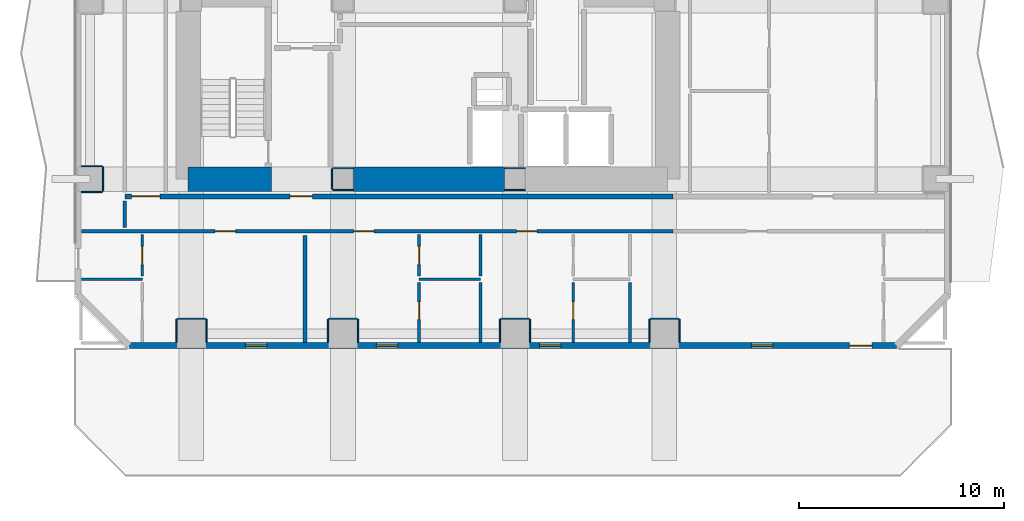
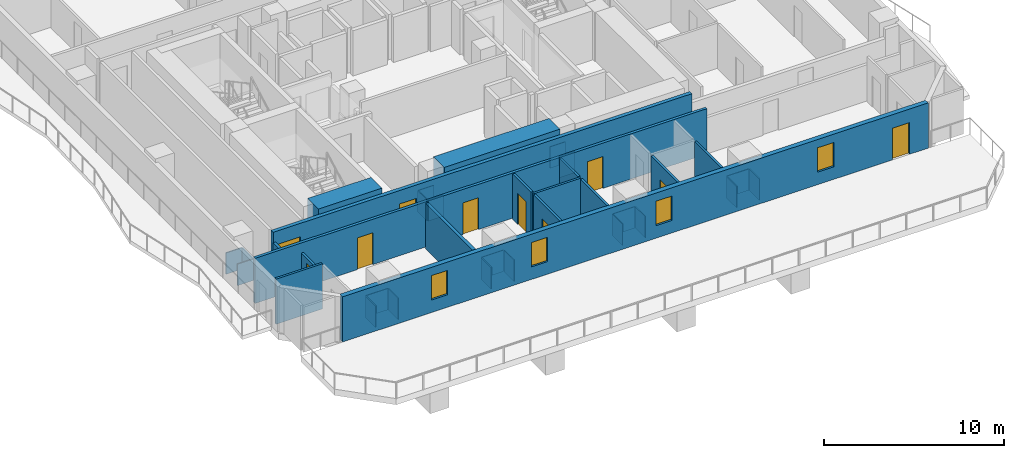
# One storey, part 2 of 11: 36 walls, 10 doors, 4 windows, 14 openings.
"""IFC4 building model written with IfcOpenShell, lengths in metres."""

import ifcopenshell
import ifcopenshell.guid

model = None  # the IFC model being written
_history = None  # IfcOwnerHistory: only IFC2X3 demands one
_inside = {}  # id of a spatial element -> (the spatial element, [elements in it])
_under = {}  # id of a project, library or spatial element -> (it, [spatial elements below it])
_declared = {}  # id of a project -> (the project, [libraries it declares])
_typed = {}  # id of a type object -> (the type object, [elements of that type])
_made_of = {}  # id of a material, layer set ... -> (it, [elements and type objects made of it])


def new_model(schema):
    """Start an empty IFC model of exactly this schema.

    Asked for "IFC4X3", IfcOpenShell would pick the latest addendum, in which some entities
    have other attributes; the version numbers below select the first issue.
    IFC2X3 requires an IfcOwnerHistory on every rooted entity: one is made here for all.
    """
    global model, _history
    if schema == "IFC4X3":
        model = ifcopenshell.file(schema_version=(4, 3, 0, 0))
    else:
        model = ifcopenshell.file(schema=schema)
    _inside.clear()
    _under.clear()
    _declared.clear()
    _typed.clear()
    _made_of.clear()
    _history = None
    if model.schema == "IFC2X3":
        org = make("IfcOrganization", Name="unknown")
        user = make(
            "IfcPersonAndOrganization",
            ThePerson=make("IfcPerson", FamilyName="unknown"),
            TheOrganization=org,
        )
        app = make(
            "IfcApplication",
            ApplicationDeveloper=org,
            Version="unknown",
            ApplicationFullName="unknown",
            ApplicationIdentifier="unknown",
        )
        _history = make(
            "IfcOwnerHistory",
            OwningUser=user,
            OwningApplication=app,
            ChangeAction="ADDED",
            CreationDate=0,
        )
    return model


def make(cls, **values):
    """One entity of the class cls with the attributes given. An attribute that is None is left unset."""
    return model.create_entity(
        cls, **{name: value for name, value in values.items() if value is not None}
    )


def rooted(cls, **values):
    """An entity with a GlobalId (a new one), such as an element, a storey or a relation."""
    return make(cls, GlobalId=ifcopenshell.guid.new(), OwnerHistory=_history, **values)


def si_unit(unit_type, name, prefix=None):
    """IfcSIUnit, for example si_unit("LENGTHUNIT", "METRE", prefix="MILLI")."""
    return make("IfcSIUnit", UnitType=unit_type, Prefix=prefix, Name=name)


def assignment(units):
    """IfcUnitAssignment: the units of a project."""
    return None if units is None else make("IfcUnitAssignment", Units=units)


def point(xyz):
    """IfcCartesianPoint."""
    return None if xyz is None else make("IfcCartesianPoint", Coordinates=xyz)


def direction(xyz):
    """IfcDirection."""
    return None if xyz is None else make("IfcDirection", DirectionRatios=xyz)


def frame(location, z_axis=None, x_axis=None):
    """IfcAxis2Placement3D, a coordinate frame: its origin and axes. An axis left out is left unset."""
    return make(
        "IfcAxis2Placement3D",
        Location=point(location),
        Axis=direction(z_axis),
        RefDirection=direction(x_axis),
    )


def frame_2d(location, x_axis=None):
    """IfcAxis2Placement2D, a coordinate frame in the plane: its origin and x axis."""
    return make(
        "IfcAxis2Placement2D", Location=point(location), RefDirection=direction(x_axis)
    )


def origin():
    """The frame at (0, 0, 0) with its axes left unset."""
    return frame((0.0, 0.0, 0.0))


def place(relative_to, where):
    """IfcLocalPlacement: puts the frame where relative to a parent placement (None: the world)."""
    return make(
        "IfcLocalPlacement", PlacementRelTo=relative_to, RelativePlacement=where
    )


def context(
    kind, dimensions, precision=None, world=None, true_north=None, identifier=None
):
    """IfcGeometricRepresentationContext, for example the 3D "Model" context."""
    return make(
        "IfcGeometricRepresentationContext",
        ContextIdentifier=identifier,
        ContextType=kind,
        CoordinateSpaceDimension=dimensions,
        Precision=precision,
        WorldCoordinateSystem=world,
        TrueNorth=true_north,
    )


def subcontext(parent, identifier, kind, view, scale=None):
    """IfcGeometricRepresentationSubContext, for example "Body" below "Model"."""
    return make(
        "IfcGeometricRepresentationSubContext",
        ContextIdentifier=identifier,
        ContextType=kind,
        ParentContext=parent,
        TargetScale=scale,
        TargetView=view,
    )


def project(units=None, contexts=None):
    """IfcProject with its units and contexts."""
    return rooted(
        "IfcProject",
        Name="project",
        RepresentationContexts=contexts,
        UnitsInContext=assignment(units),
    )


def spatial(cls, under=None, at=None, **own):
    """A site, building, storey or space (cls), placed at a placement, below another one or the project."""
    s = rooted(cls, ObjectPlacement=at, **own)
    if under is not None:
        _under.setdefault(under.id(), (under, []))[1].append(s)
    return s


def profile(cls, at=None, kind="AREA", **sizes):
    """A parametric profile (cls). Its sizes go by their IFC names, for example OverallWidth=200.0."""
    return make(cls, ProfileType=kind, Position=at, **sizes)


def rectangle(**sizes):
    """IfcRectangleProfileDef."""
    return profile("IfcRectangleProfileDef", **sizes)


def extrude(swept, where, along, depth):
    """IfcExtrudedAreaSolid: the profile swept, set in the frame where, extruded along a direction by depth."""
    return make(
        "IfcExtrudedAreaSolid",
        SweptArea=swept,
        Position=where,
        ExtrudedDirection=direction(along),
        Depth=depth,
    )


def shape(context_of_items, identifier, shape_type, items):
    """IfcShapeRepresentation: the items that make up one representation, for example the "Body"."""
    return make(
        "IfcShapeRepresentation",
        ContextOfItems=context_of_items,
        RepresentationIdentifier=identifier,
        RepresentationType=shape_type,
        Items=items,
    )


def material(Name=None, Category=None):
    """IfcMaterial."""
    return make("IfcMaterial", Name=Name, Category=Category)


def layer(
    of_material, thickness, ventilated=None, Name=None, Category=None, Priority=None
):
    """IfcMaterialLayer: one layer of a wall or slab, of a material (None: an air gap)."""
    return make(
        "IfcMaterialLayer",
        Material=of_material,
        LayerThickness=thickness,
        IsVentilated=ventilated,
        Name=Name,
        Category=Category,
        Priority=Priority,
    )


def layer_set(layers, Name=None):
    """IfcMaterialLayerSet."""
    return make("IfcMaterialLayerSet", MaterialLayers=layers, LayerSetName=Name)


def made_of(thing, what):
    """Note that an element or type object is made of a material, layer set ...; save() writes the relation."""
    if what is not None:
        _made_of.setdefault(what.id(), (what, []))[1].append(thing)
    return thing


def type_object(cls, material=None, **own):
    """A type object (cls), such as IfcWallType, which elements share."""
    return made_of(rooted(cls, **own), material)


def element(
    cls,
    number,
    at=None,
    inside=None,
    cuts=None,
    type_object=None,
    material=None,
    context=None,
    identifier="Body",
    shape_type=None,
    held_by="IfcProductDefinitionShape",
    body=None,
    shapes=None,
    **own,
):
    """One element of the class cls, such as IfcWall. Its Tag is "e" and its number.

    at: its placement. inside: the storey or other place that contains it. cuts: it is an
    opening in that element (IfcRelVoidsElement). A single representation is given by context,
    identifier, shape_type and body (its items); several are given by shapes. held_by: the class
    of the entity that holds the representations. save() writes the other relations.
    """
    e = rooted(cls, Tag="e%d" % number, ObjectPlacement=at, **own)
    if body is not None:
        shapes = [shape(context, identifier, shape_type, body)]
    if shapes is not None:
        e.Representation = make(held_by, Representations=shapes)
    if inside is not None:
        _inside.setdefault(inside.id(), (inside, []))[1].append(e)
    if cuts is not None:
        rooted(
            "IfcRelVoidsElement", RelatingBuildingElement=cuts, RelatedOpeningElement=e
        )
    if type_object is not None:
        _typed.setdefault(type_object.id(), (type_object, []))[1].append(e)
    return made_of(e, material)


def fill(opening, filler):
    """IfcRelFillsElement: the door or window that sits in an opening."""
    return rooted(
        "IfcRelFillsElement",
        RelatingOpeningElement=opening,
        RelatedBuildingElement=filler,
    )


def aggregate(whole, parts):
    """IfcRelAggregates: a whole, such as a stair, and the parts it consists of."""
    return rooted("IfcRelAggregates", RelatingObject=whole, RelatedObjects=parts)


def save(model, path):
    """Write the relations noted so far, then the file.

    IfcRelAggregates (storeys below a building ...), IfcRelContainedInSpatialStructure (elements
    in a storey), IfcRelDefinesByType, IfcRelAssociatesMaterial and IfcRelDeclares: one each for
    every whole, place, type object, material and project.
    """
    for whole, parts in _under.values():
        aggregate(whole, parts)
    for where, things in _inside.values():
        rooted(
            "IfcRelContainedInSpatialStructure",
            RelatedElements=things,
            RelatingStructure=where,
        )
    for kind, things in _typed.values():
        rooted("IfcRelDefinesByType", RelatedObjects=things, RelatingType=kind)
    for what, things in _made_of.values():
        rooted("IfcRelAssociatesMaterial", RelatedObjects=things, RelatingMaterial=what)
    for by, libraries in _declared.values():
        rooted("IfcRelDeclares", RelatingContext=by, RelatedDefinitions=libraries)
    model.write(path)


model = new_model("IFC4")

# Units and contexts
model_context = context("Model", 3, precision=1e-05, world=origin(), true_north=direction((0.0, 1.0)))
body_context = subcontext(model_context, "Body", "Model", "MODEL_VIEW")
ifc_project = project(units=[si_unit("LENGTHUNIT", "METRE"), si_unit("AREAUNIT", "SQUARE_METRE"), si_unit("VOLUMEUNIT", "CUBIC_METRE"), si_unit("PLANEANGLEUNIT", "RADIAN"), si_unit("MASSUNIT", "GRAM", prefix="KILO")], contexts=[model_context])

# Site, building, storey
site_placement = place(None, origin())
site = spatial("IfcSite", under=ifc_project, at=site_placement, CompositionType="ELEMENT")
building_placement = place(site_placement, origin())
building = spatial("IfcBuilding", under=site, at=building_placement, Name="Solanera Arch Residences", CompositionType="ELEMENT")
storey_placement = place(building_placement, frame((0.0, 0.0, 61.840087890625)))
storey = spatial("IfcBuildingStorey", under=building, at=storey_placement, Name="L17", CompositionType="ELEMENT", Elevation=61.840087890625)

# Walls
ifc_material_1 = material(Name="Fire-Rated Gypsum Stud Partition", Category="gypsum")
ifc_layer_1 = layer(ifc_material_1, 0.06005859375)
ifc_layer_set_1 = layer_set([ifc_layer_1], Name="Fire-Rated Gypsum Stud Partition")
wall_type_1 = type_object("IfcWallType", Name="Column Acoustic Furring Wall 60", PredefinedType="PARTITIONING", material=ifc_layer_set_1)
for number, where, z_axis, x_axis, name in (
    (1, (20.300048828125, 21.468017578125, 0.0), (0.0, 0.0, 1.0), (1.0, 0.0, 0.0), "L17 Column Furring 1S"),
    (2, (20.300048828125, 22.531982421875, 0.0), (0.0, 0.0, 1.0), (1.0, 0.0, 0.0), "L17 Column Furring 1N"),
):
    element("IfcWall", number, at=place(storey_placement, frame(where, z_axis=z_axis, x_axis=x_axis)), inside=storey, type_object=wall_type_1, Name=name, PredefinedType="PARTITIONING", context=body_context, shape_type="SweptSolid", body=[
        extrude(rectangle(XDim=0.989990234375, YDim=0.06005859375, at=frame_2d((0.4951171875, 0.0))), origin(), (0.0, 0.0, 1.0), 1.449951171875),
    ])
wall_1_placement = place(storey_placement, frame((20.26806640625, 21.5, 0.0), z_axis=(0.0, 0.0, 1.0), x_axis=(0.0, 1.0, 0.0)))
element("IfcWall", 3, at=wall_1_placement, inside=storey, type_object=wall_type_1, Name="L17 Column Furring 1W", PredefinedType="PARTITIONING", context=body_context, shape_type="SweptSolid", body=[
    extrude(rectangle(XDim=1.0, YDim=0.06005859375, at=frame_2d((0.5, 0.0))), origin(), (0.0, 0.0, 1.0), 1.449951171875),
])
for number, where, z_axis, x_axis, name in (
    (4, (28.7099609375, 21.468017578125, 0.0), (0.0, 0.0, 1.0), (1.0, 0.0, 0.0), "L17 Column Furring 2S"),
    (5, (28.7099609375, 22.531982421875, 0.0), (0.0, 0.0, 1.0), (1.0, 0.0, 0.0), "L17 Column Furring 2N"),
):
    element("IfcWall", number, at=place(storey_placement, frame(where, z_axis=z_axis, x_axis=x_axis)), inside=storey, type_object=wall_type_1, Name=name, PredefinedType="PARTITIONING", context=body_context, shape_type="SweptSolid", body=[
        extrude(rectangle(XDim=0.97998046875, YDim=0.06005859375, at=frame_2d((0.489990234375, 0.0))), origin(), (0.0, 0.0, 1.0), 1.449951171875),
    ])
wall_2_placement = place(storey_placement, frame((12.699951171875, 15.181884765625, 0.0), z_axis=(0.0, 0.0, 1.0), x_axis=(1.0, 0.0, 0.0)))
element("IfcWall", 6, at=wall_2_placement, inside=storey, type_object=wall_type_1, Name="L17 Column Furring 9N", PredefinedType="PARTITIONING", context=body_context, shape_type="SweptSolid", body=[
    extrude(rectangle(XDim=1.400146484375, YDim=0.06005859375, at=frame_2d((0.7001953125, 0.0))), origin(), (0.0, 0.0, 1.0), 1.449951171875),
])
for number, where, z_axis, x_axis, name in (
    (7, (12.66796875, 14.030029296875, 0.0), (0.0, 0.0, 1.0), (0.0, 1.0, 0.0), "L17 Column Furring 9W"),
    (8, (14.132080078125, 14.030029296875, 0.0), (0.0, 0.0, 1.0), (0.0, 1.0, 0.0), "L17 Column Furring 9E"),
):
    element("IfcWall", number, at=place(storey_placement, frame(where, z_axis=z_axis, x_axis=x_axis)), inside=storey, type_object=wall_type_1, Name=name, PredefinedType="PARTITIONING", context=body_context, shape_type="SweptSolid", body=[
        extrude(rectangle(XDim=1.119873046875, YDim=0.06005859375, at=frame_2d((0.56005859375, 0.0))), origin(), (0.0, 0.0, 1.0), 1.449951171875),
    ])
wall_3_placement = place(storey_placement, frame((20.10009765625, 15.181884765625, 0.0), z_axis=(0.0, 0.0, 1.0), x_axis=(1.0, 0.0, 0.0)))
element("IfcWall", 9, at=wall_3_placement, inside=storey, type_object=wall_type_1, Name="L17 Column Furring 11N", PredefinedType="PARTITIONING", context=body_context, shape_type="SweptSolid", body=[
    extrude(rectangle(XDim=1.39990234375, YDim=0.06005859375, at=frame_2d((0.699951171875, 0.0))), origin(), (0.0, 0.0, 1.0), 1.449951171875),
])
for number, where, z_axis, x_axis, name in (
    (10, (20.068115234375, 14.030029296875, 0.0), (0.0, 0.0, 1.0), (0.0, 1.0, 0.0), "L17 Column Furring 11W"),
    (11, (21.531982421875, 14.030029296875, 0.0), (0.0, 0.0, 1.0), (0.0, 1.0, 0.0), "L17 Column Furring 11E"),
):
    element("IfcWall", number, at=place(storey_placement, frame(where, z_axis=z_axis, x_axis=x_axis)), inside=storey, type_object=wall_type_1, Name=name, PredefinedType="PARTITIONING", context=body_context, shape_type="SweptSolid", body=[
        extrude(rectangle(XDim=1.119873046875, YDim=0.06005859375, at=frame_2d((0.56005859375, 0.0))), origin(), (0.0, 0.0, 1.0), 1.449951171875),
    ])
wall_4_placement = place(storey_placement, frame((28.5, 15.181884765625, 0.0), z_axis=(0.0, 0.0, 1.0), x_axis=(1.0, 0.0, 0.0)))
element("IfcWall", 12, at=wall_4_placement, inside=storey, type_object=wall_type_1, Name="L17 Column Furring 13N", PredefinedType="PARTITIONING", context=body_context, shape_type="SweptSolid", body=[
    extrude(rectangle(XDim=1.39990234375, YDim=0.06005859375, at=frame_2d((0.699951171875, 0.0))), origin(), (0.0, 0.0, 1.0), 1.449951171875),
])
for number, where, z_axis, x_axis, name in (
    (13, (28.468017578125, 14.030029296875, 0.0), (0.0, 0.0, 1.0), (0.0, 1.0, 0.0), "L17 Column Furring 13W"),
    (14, (29.931884765625, 14.030029296875, 0.0), (0.0, 0.0, 1.0), (0.0, 1.0, 0.0), "L17 Column Furring 13E"),
):
    element("IfcWall", number, at=place(storey_placement, frame(where, z_axis=z_axis, x_axis=x_axis)), inside=storey, type_object=wall_type_1, Name=name, PredefinedType="PARTITIONING", context=body_context, shape_type="SweptSolid", body=[
        extrude(rectangle(XDim=1.119873046875, YDim=0.06005859375, at=frame_2d((0.56005859375, 0.0))), origin(), (0.0, 0.0, 1.0), 1.449951171875),
    ])
wall_5_placement = place(storey_placement, frame((35.800048828125, 15.181884765625, 0.0), z_axis=(0.0, 0.0, 1.0), x_axis=(1.0, 0.0, 0.0)))
element("IfcWall", 15, at=wall_5_placement, inside=storey, type_object=wall_type_1, Name="L17 Column Furring 15N", PredefinedType="PARTITIONING", context=body_context, shape_type="SweptSolid", body=[
    extrude(rectangle(XDim=1.39990234375, YDim=0.06005859375, at=frame_2d((0.699951171875, 0.0))), origin(), (0.0, 0.0, 1.0), 1.449951171875),
])
for number, where, z_axis, x_axis, name in (
    (16, (35.76806640625, 14.030029296875, 0.0), (0.0, 0.0, 1.0), (0.0, 1.0, 0.0), "L17 Column Furring 15W"),
    (17, (37.23193359375, 14.030029296875, 0.0), (0.0, 0.0, 1.0), (0.0, 1.0, 0.0), "L17 Column Furring 15E"),
):
    element("IfcWall", number, at=place(storey_placement, frame(where, z_axis=z_axis, x_axis=x_axis)), inside=storey, type_object=wall_type_1, Name=name, PredefinedType="PARTITIONING", context=body_context, shape_type="SweptSolid", body=[
        extrude(rectangle(XDim=1.119873046875, YDim=0.06005859375, at=frame_2d((0.56005859375, 0.0))), origin(), (0.0, 0.0, 1.0), 1.449951171875),
    ])
for number, where, z_axis, x_axis, name in (
    (18, (8.030029296875, 21.367919921875, 0.0), (0.0, 0.0, 1.0), (1.0, 0.0, 0.0), "L17 Column Furring 17S"),
    (19, (8.030029296875, 22.632080078125, 0.0), (0.0, 0.0, 1.0), (1.0, 0.0, 0.0), "L17 Column Furring 17N"),
):
    element("IfcWall", number, at=place(storey_placement, frame(where, z_axis=z_axis, x_axis=x_axis)), inside=storey, type_object=wall_type_1, Name=name, PredefinedType="PARTITIONING", context=body_context, shape_type="SweptSolid", body=[
        extrude(rectangle(XDim=1.02001953125, YDim=0.06005859375, at=frame_2d((0.510009765625, 0.0))), origin(), (0.0, 0.0, 1.0), 1.449951171875),
    ])
wall_6_placement = place(storey_placement, frame((9.08203125, 21.39990234375, 0.0), z_axis=(0.0, 0.0, 1.0), x_axis=(0.0, 1.0, 0.0)))
element("IfcWall", 20, at=wall_6_placement, inside=storey, type_object=wall_type_1, Name="L17 Column Furring 17E", PredefinedType="PARTITIONING", context=body_context, shape_type="SweptSolid", body=[
    extrude(rectangle(XDim=1.2001953125, YDim=0.06005859375, at=frame_2d((0.60009765625, 0.0))), origin(), (0.0, 0.0, 1.0), 1.449951171875),
])
ifc_material_2 = material(Name="Concrete C55/67 (f'c = 60 MPa)", Category="concrete")
ifc_layer_2 = layer(ifc_material_2, 1.199951171875)
ifc_layer_set_2 = layer_set([ifc_layer_2], Name="Concrete C55/67 (f'c = 60 MPa)")
wall_type_2 = type_object("IfcWallType", Name="Core Shear Wall CW-1200", PredefinedType="SHEAR", material=ifc_layer_set_2)
wall_7_placement = place(storey_placement, frame((13.239990234375, 22.0, 0.0), z_axis=(0.0, 0.0, 1.0), x_axis=(1.0, 0.0, 0.0)))
element("IfcWall", 21, at=wall_7_placement, inside=storey, type_object=wall_type_2, Name="L17 South-West Core Shear Wall", PredefinedType="SHEAR", context=body_context, shape_type="SweptSolid", body=[
    extrude(rectangle(XDim=4.080078125, YDim=1.199951171875, at=frame_2d((2.0400390625, 0.0))), origin(), (0.0, 0.0, 1.0), 3.31982421875),
])
wall_8_placement = place(storey_placement, frame((21.304931640625, 22.0, 0.0), z_axis=(0.0, 0.0, 1.0), x_axis=(1.0, 0.0, 0.0)))
element("IfcWall", 22, at=wall_8_placement, inside=storey, type_object=wall_type_2, Name="L17 Central South Core Shear Wall", PredefinedType="SHEAR", context=body_context, shape_type="SweptSolid", body=[
    extrude(rectangle(XDim=7.39013671875, YDim=1.199951171875, at=frame_2d((3.695068359375, 0.0))), origin(), (0.0, 0.0, 1.0), 3.31982421875),
])

# Wall, openings, doors
ifc_material_3 = material(Name="Autoclaved Aerated Concrete Blockwork", Category="masonry")
ifc_layer_3 = layer(ifc_material_3, 0.179931640625)
ifc_layer_set_3 = layer_set([ifc_layer_3], Name="Autoclaved Aerated Concrete Blockwork")
wall_type_3 = type_object("IfcWallType", Name="Corridor Fire Partition 180", PredefinedType="PARTITIONING", material=ifc_layer_set_3)
wall_9_placement = place(storey_placement, frame((8.027099609375, 19.449951171875, 0.0), z_axis=(0.0, 0.0, 1.0), x_axis=(1.0, 0.0, 0.0)))
wall_9 = element("IfcWall", 23, at=wall_9_placement, inside=storey, type_object=wall_type_3, Name="L17 Interior Partition H7 1", PredefinedType="PARTITIONING", context=body_context, shape_type="SweptSolid", body=[
    extrude(rectangle(XDim=28.90185546875, YDim=0.179931640625, at=frame_2d((14.450927734375, 0.0))), origin(), (0.0, 0.0, 1.0), 3.059814453125),
])
opening_1_placement = place(wall_9_placement, frame((6.532958984375, 0.0, 0.0)))
opening_1 = element("IfcOpeningElement", 24, at=opening_1_placement, cuts=wall_9, Name="Opening DI-01", PredefinedType="OPENING", context=body_context, shape_type="SweptSolid", body=[
    extrude(rectangle(XDim=1.0, YDim=2.14990234375, at=frame_2d((0.5, 1.074951171875))), frame((0.0, 0.10009765625, 0.0), z_axis=(0.0, -1.0, 0.0), x_axis=(1.0, 0.0, 0.0)), (0.0, 0.0, 1.0), 0.1999),
])
opening_2_placement = place(wall_9_placement, frame((13.29296875, 0.0, 0.0)))
opening_2 = element("IfcOpeningElement", 25, at=opening_2_placement, cuts=wall_9, Name="Opening DI-01", PredefinedType="OPENING", context=body_context, shape_type="SweptSolid", body=[
    extrude(rectangle(XDim=1.0, YDim=2.14990234375, at=frame_2d((0.5, 1.074951171875))), frame((0.0, 0.10009765625, 0.0), z_axis=(0.0, -1.0, 0.0), x_axis=(1.0, 0.0, 0.0)), (0.0, 0.0, 1.0), 0.1999),
])
opening_3_placement = place(wall_9_placement, frame((21.256103515625, 0.0, 0.0)))
opening_3 = element("IfcOpeningElement", 26, at=opening_3_placement, cuts=wall_9, Name="Opening DI-01", PredefinedType="OPENING", context=body_context, shape_type="SweptSolid", body=[
    extrude(rectangle(XDim=1.0, YDim=2.14990234375, at=frame_2d((0.5, 1.074951171875))), frame((0.0, 0.10009765625, 0.0), z_axis=(0.0, -1.0, 0.0), x_axis=(1.0, 0.0, 0.0)), (0.0, 0.0, 1.0), 0.1999),
])
ifc_material_4 = material(Name="Fire-Rated Architectural Hardwood", Category="wood")
door_type_1 = type_object("IfcDoorType", Name="Unit Entrance Fire Door DI-01", OperationType="NOTDEFINED", PredefinedType="DOOR", material=ifc_material_4)
door_1_placement = place(opening_1_placement, origin())
door_1 = element("IfcDoor", 27, at=door_1_placement, inside=storey, type_object=door_type_1, Name="DR-L17-IN-015", OperationType="SINGLE_SWING_LEFT", OverallHeight=2.14990234375, OverallWidth=1.0, PredefinedType="DOOR", context=body_context, shape_type="SweptSolid", body=[
    extrude(rectangle(XDim=1.0, YDim=2.14990234375, at=frame_2d((0.5, 1.074951171875))), frame((0.0, 0.02490234375, 0.0), z_axis=(0.0, -1.0, 0.0), x_axis=(1.0, 0.0, 0.0)), (0.0, 0.0, 1.0), 0.050048828125),
])
fill(opening_1, door_1)
door_2_placement = place(opening_2_placement, origin())
door_2 = element("IfcDoor", 28, at=door_2_placement, inside=storey, type_object=door_type_1, Name="DR-L17-IN-018", OperationType="SINGLE_SWING_RIGHT", OverallHeight=2.14990234375, OverallWidth=1.0, PredefinedType="DOOR", context=body_context, shape_type="SweptSolid", body=[
    extrude(rectangle(XDim=1.0, YDim=2.14990234375, at=frame_2d((0.5, 1.074951171875))), frame((0.0, 0.02490234375, 0.0), z_axis=(0.0, -1.0, 0.0), x_axis=(1.0, 0.0, 0.0)), (0.0, 0.0, 1.0), 0.050048828125),
])
fill(opening_2, door_2)
door_3_placement = place(opening_3_placement, origin())
door_3 = element("IfcDoor", 29, at=door_3_placement, inside=storey, type_object=door_type_1, Name="DR-L17-IN-021", OperationType="SINGLE_SWING_LEFT", OverallHeight=2.14990234375, OverallWidth=1.0, PredefinedType="DOOR", context=body_context, shape_type="SweptSolid", body=[
    extrude(rectangle(XDim=1.0, YDim=2.14990234375, at=frame_2d((0.5, 1.074951171875))), frame((0.0, 0.02490234375, 0.0), z_axis=(0.0, -1.0, 0.0), x_axis=(1.0, 0.0, 0.0)), (0.0, 0.0, 1.0), 0.050048828125),
])
fill(opening_3, door_3)

# Wall
wall_10_placement = place(storey_placement, frame((10.14990234375, 19.637939453125, 0.0), z_axis=(0.0, 0.0, 1.0), x_axis=(0.0, 1.0, 0.0)))
element("IfcWall", 30, at=wall_10_placement, inside=storey, type_object=wall_type_3, Name="L17 Interior Partition V9 1", PredefinedType="PARTITIONING", context=body_context, shape_type="SweptSolid", body=[
    extrude(rectangle(XDim=1.2939453125, YDim=0.179931640625, at=frame_2d((0.64697265625, 0.0))), origin(), (0.0, 0.0, 1.0), 2.44482421875),
])

# Wall, openings, door, windows
ifc_material_5 = material(Name="Precast Concrete C35/45", Category="concrete")
ifc_layer_4 = layer(ifc_material_5, 0.300048828125)
ifc_layer_set_4 = layer_set([ifc_layer_4], Name="Precast Concrete C35/45")
wall_type_4 = type_object("IfcWallType", Name="Exterior Wall Precast Masonry-Frame 300", PredefinedType="STANDARD", material=ifc_layer_set_4)
wall_11_placement = place(storey_placement, frame((47.8349609375, 13.864990234375, 0.0), z_axis=(0.0, 0.0, 1.0), x_axis=(-1.0, 0.0, 0.0)))
wall_11 = element("IfcWall", 31, at=wall_11_placement, inside=storey, type_object=wall_type_4, Name="L17 Tower Exterior Precast Masonry-Frame Wall S", PredefinedType="STANDARD", context=body_context, shape_type="SweptSolid", body=[
    extrude(rectangle(XDim=37.469970703125, YDim=0.300048828125, at=frame_2d((18.73486328125, 0.0))), origin(), (0.0, 0.0, 1.0), 3.059814453125),
])
opening_4_placement = place(wall_11_placement, frame((1.200927734375, 0.0, 0.0)))
opening_4 = element("IfcOpeningElement", 32, at=opening_4_placement, cuts=wall_11, Name="Opening DB-02", PredefinedType="OPENING", context=body_context, shape_type="SweptSolid", body=[
    extrude(rectangle(XDim=1.10009765625, YDim=2.14990234375, at=frame_2d((0.550048828125, 1.074951171875))), frame((0.0, 0.159912109375, 0.0), z_axis=(0.0, -1.0, 0.0), x_axis=(1.0, 0.0, 0.0)), (0.0, 0.0, 1.0), 0.32),
])
opening_5_placement = place(wall_11_placement, frame((30.75, 0.0, 0.85009765625)))
opening_5 = element("IfcOpeningElement", 33, at=opening_5_placement, cuts=wall_11, Name="Opening W-07", PredefinedType="OPENING", context=body_context, shape_type="SweptSolid", body=[
    extrude(rectangle(XDim=1.050048828125, YDim=1.64990234375, at=frame_2d((0.52490234375, 0.824951171875))), frame((0.0, 0.159912109375, 0.0), z_axis=(0.0, -1.0, 0.0), x_axis=(1.0, 0.0, 0.0)), (0.0, 0.0, 1.0), 0.32),
])
opening_6_placement = place(wall_11_placement, frame((24.35009765625, 0.0, 0.85009765625)))
opening_6 = element("IfcOpeningElement", 34, at=opening_6_placement, cuts=wall_11, Name="Opening W-07", PredefinedType="OPENING", context=body_context, shape_type="SweptSolid", body=[
    extrude(rectangle(XDim=1.050048828125, YDim=1.64990234375, at=frame_2d((0.52490234375, 0.824951171875))), frame((0.0, 0.159912109375, 0.0), z_axis=(0.0, -1.0, 0.0), x_axis=(1.0, 0.0, 0.0)), (0.0, 0.0, 1.0), 0.32),
])
opening_7_placement = place(wall_11_placement, frame((16.386962890625, 0.0, 0.85009765625)))
opening_7 = element("IfcOpeningElement", 35, at=opening_7_placement, cuts=wall_11, Name="Opening W-07", PredefinedType="OPENING", context=body_context, shape_type="SweptSolid", body=[
    extrude(rectangle(XDim=1.050048828125, YDim=1.64990234375, at=frame_2d((0.52490234375, 0.824951171875))), frame((0.0, 0.159912109375, 0.0), z_axis=(0.0, -1.0, 0.0), x_axis=(1.0, 0.0, 0.0)), (0.0, 0.0, 1.0), 0.32),
])
opening_8_placement = place(wall_11_placement, frame((6.04296875, 0.0, 0.85009765625)))
opening_8 = element("IfcOpeningElement", 36, at=opening_8_placement, cuts=wall_11, Name="Opening W-07", PredefinedType="OPENING", context=body_context, shape_type="SweptSolid", body=[
    extrude(rectangle(XDim=1.050048828125, YDim=1.64990234375, at=frame_2d((0.52490234375, 0.824951171875))), frame((0.0, 0.159912109375, 0.0), z_axis=(0.0, -1.0, 0.0), x_axis=(1.0, 0.0, 0.0)), (0.0, 0.0, 1.0), 0.32),
])
ifc_material_6 = material(Name="Anodised Aluminium Alloy 6063-T6", Category="aluminium")
door_type_2 = type_object("IfcDoorType", Name="Glazed Terrace Swing Door DB-02", OperationType="NOTDEFINED", PredefinedType="DOOR", material=ifc_material_6)
door_4_placement = place(opening_4_placement, origin())
door_4 = element("IfcDoor", 37, at=door_4_placement, inside=storey, type_object=door_type_2, Name="DR-L17-OUT-01", OperationType="SINGLE_SWING_LEFT", OverallHeight=2.14990234375, OverallWidth=1.10009765625, PredefinedType="DOOR", context=body_context, shape_type="SweptSolid", body=[
    extrude(rectangle(XDim=1.10009765625, YDim=2.14990234375, at=frame_2d((0.550048828125, 1.074951171875))), frame((0.0, 0.02490234375, 0.0), z_axis=(0.0, -1.0, 0.0), x_axis=(1.0, 0.0, 0.0)), (0.0, 0.0, 1.0), 0.050048828125),
])
fill(opening_4, door_4)
ifc_material_7 = material(Name="Double Glazed Low-E Laminated Glass", Category="glass")
window_type = type_object("IfcWindowType", Name="Punched Window W-07", PartitioningType="SINGLE_PANEL", PredefinedType="WINDOW", material=ifc_material_7)
window_1_placement = place(opening_5_placement, origin())
window_1 = element("IfcWindow", 38, at=window_1_placement, inside=storey, type_object=window_type, Name="L17 1701-LIV Punched Window", OverallHeight=1.64990234375, OverallWidth=1.050048828125, PartitioningType="SINGLE_PANEL", PredefinedType="WINDOW", context=body_context, shape_type="SweptSolid", body=[
    extrude(rectangle(XDim=1.050048828125, YDim=1.64990234375, at=frame_2d((0.52490234375, 0.824951171875))), frame((0.0, 0.030029296875, 0.0), z_axis=(0.0, -1.0, 0.0), x_axis=(1.0, 0.0, 0.0)), (0.0, 0.0, 1.0), 0.06005859375),
])
fill(opening_5, window_1)
window_2_placement = place(opening_6_placement, origin())
window_2 = element("IfcWindow", 39, at=window_2_placement, inside=storey, type_object=window_type, Name="L17 1702-LIV Punched Window", OverallHeight=1.64990234375, OverallWidth=1.050048828125, PartitioningType="SINGLE_PANEL", PredefinedType="WINDOW", context=body_context, shape_type="SweptSolid", body=[
    extrude(rectangle(XDim=1.050048828125, YDim=1.64990234375, at=frame_2d((0.52490234375, 0.824951171875))), frame((0.0, 0.030029296875, 0.0), z_axis=(0.0, -1.0, 0.0), x_axis=(1.0, 0.0, 0.0)), (0.0, 0.0, 1.0), 0.06005859375),
])
fill(opening_6, window_2)
window_3_placement = place(opening_7_placement, origin())
window_3 = element("IfcWindow", 40, at=window_3_placement, inside=storey, type_object=window_type, Name="L17 1703-LIV Punched Window", OverallHeight=1.64990234375, OverallWidth=1.050048828125, PartitioningType="SINGLE_PANEL", PredefinedType="WINDOW", context=body_context, shape_type="SweptSolid", body=[
    extrude(rectangle(XDim=1.050048828125, YDim=1.64990234375, at=frame_2d((0.52490234375, 0.824951171875))), frame((0.0, 0.030029296875, 0.0), z_axis=(0.0, -1.0, 0.0), x_axis=(1.0, 0.0, 0.0)), (0.0, 0.0, 1.0), 0.06005859375),
])
fill(opening_7, window_3)
window_4_placement = place(opening_8_placement, origin())
window_4 = element("IfcWindow", 41, at=window_4_placement, inside=storey, type_object=window_type, Name="L17 1704-LIV Punched Window", OverallHeight=1.64990234375, OverallWidth=1.050048828125, PartitioningType="SINGLE_PANEL", PredefinedType="WINDOW", context=body_context, shape_type="SweptSolid", body=[
    extrude(rectangle(XDim=1.050048828125, YDim=1.64990234375, at=frame_2d((0.52490234375, 0.824951171875))), frame((0.0, 0.030029296875, 0.0), z_axis=(0.0, -1.0, 0.0), x_axis=(1.0, 0.0, 0.0)), (0.0, 0.0, 1.0), 0.06005859375),
])
fill(opening_8, window_4)

# Wall
ifc_material_8 = material(Name="Autoclaved Aerated Concrete Blockwork", Category="masonry")
ifc_layer_5 = layer(ifc_material_8, 0.199951171875)
ifc_layer_set_5 = layer_set([ifc_layer_5], Name="Autoclaved Aerated Concrete Blockwork")
wall_type_5 = type_object("IfcWallType", Name="Party Wall Acoustic 200", PredefinedType="PARTITIONING", material=ifc_layer_set_5)
wall_12_placement = place(storey_placement, frame((18.949951171875, 14.027099609375, 0.0), z_axis=(0.0, 0.0, 1.0), x_axis=(0.0, 1.0, 0.0)))
element("IfcWall", 42, at=wall_12_placement, inside=storey, type_object=wall_type_5, Name="L17 Interior Partition V6", PredefinedType="PARTITIONING", context=body_context, shape_type="SweptSolid", body=[
    extrude(rectangle(XDim=5.224853515625, YDim=0.199951171875, at=frame_2d((2.6123046875, 0.0))), origin(), (0.0, 0.0, 1.0), 3.059814453125),
])

# Wall, openings, doors
ifc_material_9 = material(Name="Autoclaved Aerated Concrete Blockwork", Category="masonry")
ifc_layer_6 = layer(ifc_material_9, 0.239990234375)
ifc_layer_set_6 = layer_set([ifc_layer_6], Name="Autoclaved Aerated Concrete Blockwork")
wall_type_6 = type_object("IfcWallType", Name="Shaft Wall Fire-Rated 240", PredefinedType="PARTITIONING", material=ifc_layer_set_6)
wall_13_placement = place(storey_placement, frame((10.14990234375, 21.14990234375, 0.0), z_axis=(0.0, 0.0, 1.0), x_axis=(1.0, 0.0, 0.0)))
wall_13 = element("IfcWall", 43, at=wall_13_placement, inside=storey, type_object=wall_type_6, Name="L17 Interior Partition H1 1", PredefinedType="PARTITIONING", context=body_context, shape_type="SweptSolid", body=[
    extrude(rectangle(XDim=26.779052734375, YDim=0.239990234375, at=frame_2d((13.3896484375, 0.0))), origin(), (0.0, 0.0, 1.0), 3.059814453125),
])
opening_9_placement = place(wall_13_placement, frame((8.06005859375, 0.0, 0.0)))
opening_9 = element("IfcOpeningElement", 44, at=opening_9_placement, cuts=wall_13, Name="Opening DF-02", PredefinedType="OPENING", context=body_context, shape_type="SweptSolid", body=[
    extrude(rectangle(XDim=1.10009765625, YDim=2.14990234375, at=frame_2d((0.550048828125, 1.074951171875))), frame((0.0, 0.1298828125, 0.0), z_axis=(0.0, -1.0, 0.0), x_axis=(1.0, 0.0, 0.0)), (0.0, 0.0, 1.0), 0.26),
])
opening_10_placement = place(wall_13_placement, frame((0.323974609375, 0.0, 0.0)))
opening_10 = element("IfcOpeningElement", 45, at=opening_10_placement, cuts=wall_13, Name="Opening DF-03", PredefinedType="OPENING", context=body_context, shape_type="SweptSolid", body=[
    extrude(rectangle(XDim=1.39990234375, YDim=2.14990234375, at=frame_2d((0.699951171875, 1.074951171875))), frame((0.0, 0.1298828125, 0.0), z_axis=(0.0, -1.0, 0.0), x_axis=(1.0, 0.0, 0.0)), (0.0, 0.0, 1.0), 0.26),
])
ifc_material_10 = material(Name="Fire-Rated Architectural Hardwood", Category="wood")
door_type_3 = type_object("IfcDoorType", Name="Corridor Smoke Door DF-03", OperationType="NOTDEFINED", PredefinedType="DOOR", material=ifc_material_10)
door_5_placement = place(opening_10_placement, origin())
door_5 = element("IfcDoor", 46, at=door_5_placement, inside=storey, type_object=door_type_3, Name="DR-L17-IN-010", OperationType="SINGLE_SWING_RIGHT", OverallHeight=2.14990234375, OverallWidth=1.39990234375, PredefinedType="DOOR", context=body_context, shape_type="SweptSolid", body=[
    extrude(rectangle(XDim=1.39990234375, YDim=2.14990234375, at=frame_2d((0.699951171875, 1.074951171875))), frame((0.0, 0.02490234375, 0.0), z_axis=(0.0, -1.0, 0.0), x_axis=(1.0, 0.0, 0.0)), (0.0, 0.0, 1.0), 0.050048828125),
])
fill(opening_10, door_5)
ifc_material_11 = material(Name="Fire-Rated Architectural Hardwood", Category="wood")
door_type_4 = type_object("IfcDoorType", Name="Firefighting Lobby Fire Door DF-02", OperationType="NOTDEFINED", PredefinedType="DOOR", material=ifc_material_11)
door_6_placement = place(opening_9_placement, origin())
door_6 = element("IfcDoor", 47, at=door_6_placement, inside=storey, type_object=door_type_4, Name="DR-L17-IN-008", OperationType="SINGLE_SWING_RIGHT", OverallHeight=2.14990234375, OverallWidth=1.10009765625, PredefinedType="DOOR", context=body_context, shape_type="SweptSolid", body=[
    extrude(rectangle(XDim=1.10009765625, YDim=2.14990234375, at=frame_2d((0.550048828125, 1.074951171875))), frame((0.0, 0.02490234375, 0.0), z_axis=(0.0, -1.0, 0.0), x_axis=(1.0, 0.0, 0.0)), (0.0, 0.0, 1.0), 0.050048828125),
])
fill(opening_9, door_6)

# Walls
ifc_material_12 = material(Name="Autoclaved Aerated Concrete Blockwork", Category="masonry")
ifc_layer_7 = layer(ifc_material_12, 0.139892578125)
ifc_layer_set_7 = layer_set([ifc_layer_7], Name="Autoclaved Aerated Concrete Blockwork")
wall_type_7 = type_object("IfcWallType", Name="Wet-Room Partition 140", PredefinedType="PARTITIONING", material=ifc_layer_set_7)
wall_14_placement = place(storey_placement, frame((8.027099609375, 17.10693359375, 0.0), z_axis=(0.0, 0.0, 1.0), x_axis=(1.0, 0.0, 0.0)))
element("IfcWall", 48, at=wall_14_placement, inside=storey, type_object=wall_type_7, Name="L17 Interior Partition H13", PredefinedType="PARTITIONING", context=body_context, shape_type="SweptSolid", body=[
    extrude(rectangle(XDim=2.972900390625, YDim=0.139892578125, at=frame_2d((1.486328125, 0.0))), origin(), (0.0, 0.0, 1.0), 3.059814453125),
])
wall_15_placement = place(storey_placement, frame((24.52001953125, 17.10693359375, 0.0), z_axis=(0.0, 0.0, 1.0), x_axis=(1.0, 0.0, 0.0)))
element("IfcWall", 49, at=wall_15_placement, inside=storey, type_object=wall_type_7, Name="L17 Interior Partition H14", PredefinedType="PARTITIONING", context=body_context, shape_type="SweptSolid", body=[
    extrude(rectangle(XDim=3.0, YDim=0.139892578125, at=frame_2d((1.5, 0.0))), origin(), (0.0, 0.0, 1.0), 3.059814453125),
])

# Wall, opening, door
wall_16_placement = place(storey_placement, frame((11.0, 17.2548828125, 0.0), z_axis=(0.0, 0.0, 1.0), x_axis=(0.0, 1.0, 0.0)))
wall_16 = element("IfcWall", 50, at=wall_16_placement, inside=storey, type_object=wall_type_7, Name="L17 Interior Partition V14 2", PredefinedType="PARTITIONING", context=body_context, shape_type="SweptSolid", body=[
    extrude(rectangle(XDim=2.027099609375, YDim=0.139892578125, at=frame_2d((1.013671875, 0.0))), origin(), (0.0, 0.0, 1.0), 2.44482421875),
])
opening_11_placement = place(wall_16_placement, frame((0.56103515625, 0.0, 0.0)))
opening_11 = element("IfcOpeningElement", 51, at=opening_11_placement, cuts=wall_16, Name="Opening DI-02", PredefinedType="OPENING", context=body_context, shape_type="SweptSolid", body=[
    extrude(rectangle(XDim=0.89990234375, YDim=2.10009765625, at=frame_2d((0.449951171875, 1.050048828125))), frame((0.0, 0.079833984375, 0.0), z_axis=(0.0, -1.0, 0.0), x_axis=(1.0, 0.0, 0.0)), (0.0, 0.0, 1.0), 0.1599),
])
ifc_material_13 = material(Name="Fire-Rated Architectural Hardwood", Category="wood")
door_type_5 = type_object("IfcDoorType", Name="Suite Room Swing Door DI-02", OperationType="NOTDEFINED", PredefinedType="DOOR", material=ifc_material_13)
door_7_placement = place(opening_11_placement, origin())
door_7 = element("IfcDoor", 52, at=door_7_placement, inside=storey, type_object=door_type_5, Name="DR-L17-IN-016", OperationType="SINGLE_SWING_RIGHT", OverallHeight=2.10009765625, OverallWidth=0.89990234375, PredefinedType="DOOR", context=body_context, shape_type="SweptSolid", body=[
    extrude(rectangle(XDim=0.89990234375, YDim=2.10009765625, at=frame_2d((0.449951171875, 1.050048828125))), frame((0.0, 0.02490234375, 0.0), z_axis=(0.0, -1.0, 0.0), x_axis=(1.0, 0.0, 0.0)), (0.0, 0.0, 1.0), 0.050048828125),
])
fill(opening_11, door_7)

wall_17_placement = place(storey_placement, frame((24.52001953125, 14.027099609375, 0.0), z_axis=(0.0, 0.0, 1.0), x_axis=(0.0, 1.0, 0.0)))
wall_17 = element("IfcWall", 53, at=wall_17_placement, inside=storey, type_object=wall_type_7, Name="L17 Interior Partition V17 1", PredefinedType="PARTITIONING", context=body_context, shape_type="SweptSolid", body=[
    extrude(rectangle(XDim=2.931884765625, YDim=0.139892578125, at=frame_2d((1.4658203125, 0.0))), origin(), (0.0, 0.0, 1.0), 3.059814453125),
])
opening_12_placement = place(wall_17_placement, frame((1.10888671875, 0.0, 0.0)))
opening_12 = element("IfcOpeningElement", 54, at=opening_12_placement, cuts=wall_17, Name="Opening DI-05", PredefinedType="OPENING", context=body_context, shape_type="SweptSolid", body=[
    extrude(rectangle(XDim=0.860107421875, YDim=2.02001953125, at=frame_2d((0.43017578125, 1.010009765625))), frame((0.0, 0.079833984375, 0.0), z_axis=(0.0, -1.0, 0.0), x_axis=(1.0, 0.0, 0.0)), (0.0, 0.0, 1.0), 0.1599),
])
ifc_material_14 = material(Name="Fire-Rated Architectural Hardwood", Category="wood")
door_type_6 = type_object("IfcDoorType", Name="Bathroom Swing Door DI-05", OperationType="NOTDEFINED", PredefinedType="DOOR", material=ifc_material_14)
door_8_placement = place(opening_12_placement, origin())
door_8 = element("IfcDoor", 55, at=door_8_placement, inside=storey, type_object=door_type_6, Name="DR-L17-IN-020", OperationType="SINGLE_SWING_RIGHT", OverallHeight=2.02001953125, OverallWidth=0.860107421875, PredefinedType="DOOR", context=body_context, shape_type="SweptSolid", body=[
    extrude(rectangle(XDim=0.860107421875, YDim=2.02001953125, at=frame_2d((0.43017578125, 1.010009765625))), frame((0.0, 0.02490234375, 0.0), z_axis=(0.0, -1.0, 0.0), x_axis=(1.0, 0.0, 0.0)), (0.0, 0.0, 1.0), 0.050048828125),
])
fill(opening_12, door_8)

wall_18_placement = place(storey_placement, frame((24.52001953125, 17.2548828125, 0.0), z_axis=(0.0, 0.0, 1.0), x_axis=(0.0, 1.0, 0.0)))
wall_18 = element("IfcWall", 56, at=wall_18_placement, inside=storey, type_object=wall_type_7, Name="L17 Interior Partition V17 2", PredefinedType="PARTITIONING", context=body_context, shape_type="SweptSolid", body=[
    extrude(rectangle(XDim=2.027099609375, YDim=0.139892578125, at=frame_2d((1.013671875, 0.0))), origin(), (0.0, 0.0, 1.0), 3.059814453125),
])
opening_13_placement = place(wall_18_placement, frame((0.56103515625, 0.0, 0.0)))
opening_13 = element("IfcOpeningElement", 57, at=opening_13_placement, cuts=wall_18, Name="Opening DI-02", PredefinedType="OPENING", context=body_context, shape_type="SweptSolid", body=[
    extrude(rectangle(XDim=0.89990234375, YDim=2.10009765625, at=frame_2d((0.449951171875, 1.050048828125))), frame((0.0, 0.079833984375, 0.0), z_axis=(0.0, -1.0, 0.0), x_axis=(1.0, 0.0, 0.0)), (0.0, 0.0, 1.0), 0.1599),
])
door_9_placement = place(opening_13_placement, origin())
door_9 = element("IfcDoor", 58, at=door_9_placement, inside=storey, type_object=door_type_5, Name="DR-L17-IN-019", OperationType="SINGLE_SWING_LEFT", OverallHeight=2.10009765625, OverallWidth=0.89990234375, PredefinedType="DOOR", context=body_context, shape_type="SweptSolid", body=[
    extrude(rectangle(XDim=0.89990234375, YDim=2.10009765625, at=frame_2d((0.449951171875, 1.050048828125))), frame((0.0, 0.02490234375, 0.0), z_axis=(0.0, -1.0, 0.0), x_axis=(1.0, 0.0, 0.0)), (0.0, 0.0, 1.0), 0.050048828125),
])
fill(opening_13, door_9)

# Walls
wall_19_placement = place(storey_placement, frame((27.52001953125, 14.027099609375, 0.0), z_axis=(0.0, 0.0, 1.0), x_axis=(0.0, 1.0, 0.0)))
element("IfcWall", 59, at=wall_19_placement, inside=storey, type_object=wall_type_7, Name="L17 Interior Partition V19 1", PredefinedType="PARTITIONING", context=body_context, shape_type="SweptSolid", body=[
    extrude(rectangle(XDim=2.931884765625, YDim=0.139892578125, at=frame_2d((1.4658203125, 0.0))), origin(), (0.0, 0.0, 1.0), 3.059814453125),
])
wall_20_placement = place(storey_placement, frame((27.52001953125, 17.2548828125, 0.0), z_axis=(0.0, 0.0, 1.0), x_axis=(0.0, 1.0, 0.0)))
element("IfcWall", 60, at=wall_20_placement, inside=storey, type_object=wall_type_7, Name="L17 Interior Partition V19 2", PredefinedType="PARTITIONING", context=body_context, shape_type="SweptSolid", body=[
    extrude(rectangle(XDim=2.027099609375, YDim=0.139892578125, at=frame_2d((1.013671875, 0.0))), origin(), (0.0, 0.0, 1.0), 3.059814453125),
])

# Wall, opening, door
wall_21_placement = place(storey_placement, frame((32.0458984375, 14.027099609375, 0.0), z_axis=(0.0, 0.0, 1.0), x_axis=(0.0, 1.0, 0.0)))
wall_21 = element("IfcWall", 61, at=wall_21_placement, inside=storey, type_object=wall_type_7, Name="L17 Interior Partition V20 1", PredefinedType="PARTITIONING", context=body_context, shape_type="SweptSolid", body=[
    extrude(rectangle(XDim=2.931884765625, YDim=0.139892578125, at=frame_2d((1.4658203125, 0.0))), origin(), (0.0, 0.0, 1.0), 3.059814453125),
])
opening_14_placement = place(wall_21_placement, frame((1.10888671875, 0.0, 0.0)))
opening_14 = element("IfcOpeningElement", 62, at=opening_14_placement, cuts=wall_21, Name="Opening DI-05", PredefinedType="OPENING", context=body_context, shape_type="SweptSolid", body=[
    extrude(rectangle(XDim=0.860107421875, YDim=2.02001953125, at=frame_2d((0.43017578125, 1.010009765625))), frame((0.0, 0.079833984375, 0.0), z_axis=(0.0, -1.0, 0.0), x_axis=(1.0, 0.0, 0.0)), (0.0, 0.0, 1.0), 0.1599),
])
door_10_placement = place(opening_14_placement, origin())
door_10 = element("IfcDoor", 63, at=door_10_placement, inside=storey, type_object=door_type_6, Name="DR-L17-IN-023", OperationType="SINGLE_SWING_LEFT", OverallHeight=2.02001953125, OverallWidth=0.860107421875, PredefinedType="DOOR", context=body_context, shape_type="SweptSolid", body=[
    extrude(rectangle(XDim=0.860107421875, YDim=2.02001953125, at=frame_2d((0.43017578125, 1.010009765625))), frame((0.0, 0.02490234375, 0.0), z_axis=(0.0, -1.0, 0.0), x_axis=(1.0, 0.0, 0.0)), (0.0, 0.0, 1.0), 0.050048828125),
])
fill(opening_14, door_10)

# Wall
wall_22_placement = place(storey_placement, frame((34.820068359375, 14.027099609375, 0.0), z_axis=(0.0, 0.0, 1.0), x_axis=(0.0, 1.0, 0.0)))
element("IfcWall", 64, at=wall_22_placement, inside=storey, type_object=wall_type_7, Name="L17 Interior Partition V21 1", PredefinedType="PARTITIONING", context=body_context, shape_type="SweptSolid", body=[
    extrude(rectangle(XDim=2.931884765625, YDim=0.139892578125, at=frame_2d((1.4658203125, 0.0))), origin(), (0.0, 0.0, 1.0), 3.059814453125),
])

save(model, "model.ifc")
